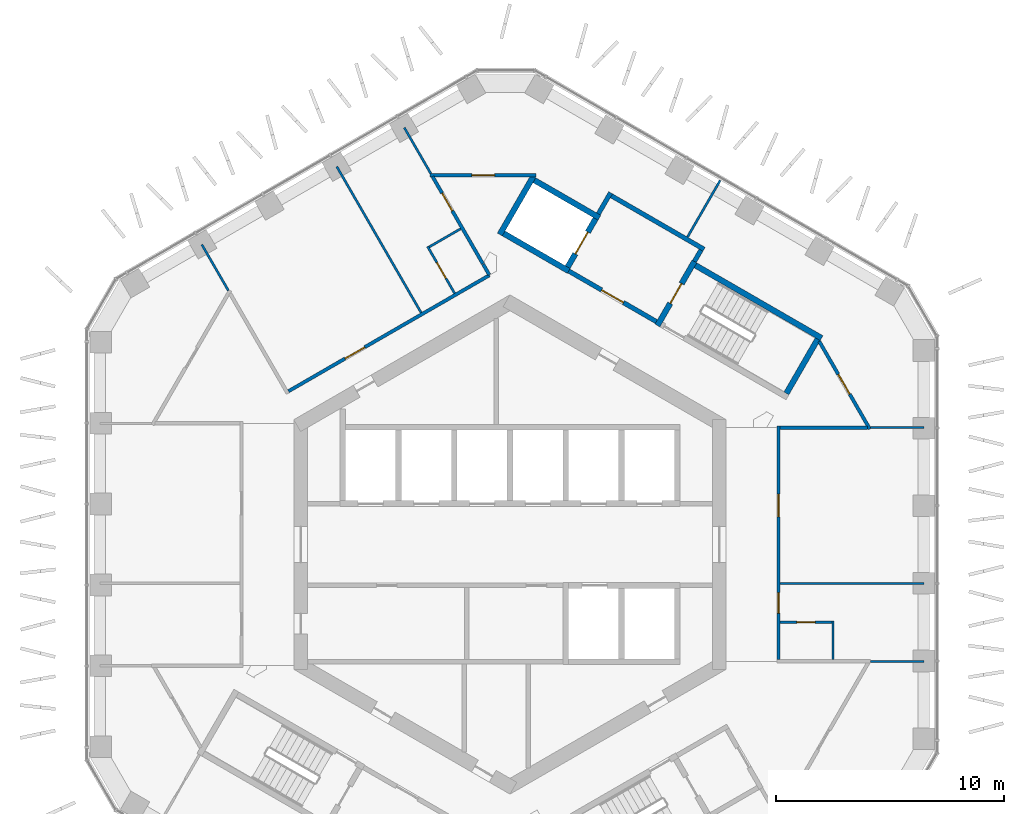
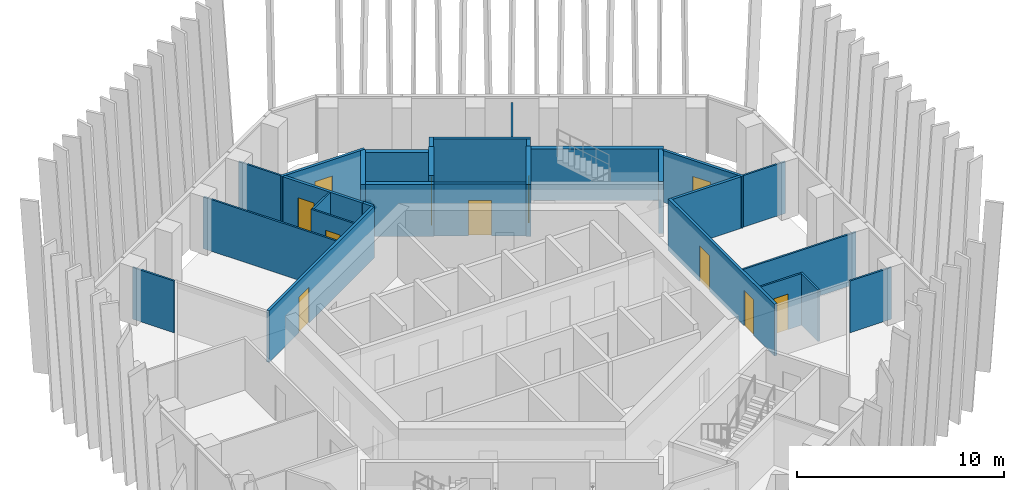
# One storey, part 15 of 20: 29 walls, 11 doors, 11 openings.
"""IFC4 building model written with IfcOpenShell, lengths in metres."""

from ifc_helpers import new_model, si_unit, direction, frame, frame_2d, origin, place, context, subcontext, project, spatial, rectangle, extrude, material, layer, layer_set, type_object, element, fill, save


model = new_model("IFC4")

# Units and contexts
model_context = context("Model", 3, precision=1e-05, world=origin(), true_north=direction((0.0, 1.0)))
body_context = subcontext(model_context, "Body", "Model", "MODEL_VIEW")
ifc_project = project(units=[si_unit("LENGTHUNIT", "METRE"), si_unit("AREAUNIT", "SQUARE_METRE"), si_unit("VOLUMEUNIT", "CUBIC_METRE"), si_unit("PLANEANGLEUNIT", "RADIAN"), si_unit("MASSUNIT", "GRAM", prefix="KILO")], contexts=[model_context])

# Site, building, storey
site_placement = place(None, origin())
site = spatial("IfcSite", under=ifc_project, at=site_placement, CompositionType="ELEMENT")
building_placement = place(site_placement, origin())
building = spatial("IfcBuilding", under=site, at=building_placement, Name="Ayvan Gate Tower", CompositionType="ELEMENT")
storey_placement = place(building_placement, frame((0.0, 0.0, 162.89990234375)))
storey = spatial("IfcBuildingStorey", under=building, at=storey_placement, Name="L43", CompositionType="ELEMENT", Elevation=162.89990234375)

# Wall, opening, door
ifc_material_1 = material(Name="Plasterboard on steel stud", Category="steel")
ifc_layer_1 = layer(ifc_material_1, 0.14990234375)
ifc_layer_set_1 = layer_set([ifc_layer_1], Name="Plasterboard on steel stud")
wall_type_1 = type_object("IfcWallType", Name="WT-CORR-150", PredefinedType="PARTITIONING", material=ifc_layer_set_1)
wall_1_placement = place(storey_placement, frame((-9.734130859375, 6.7353515625, 0.0), z_axis=(0.0, 0.0, 1.0), x_axis=(0.866026544813, 0.499998023675, 0.0)))
wall_1 = element("IfcWall", 1, at=wall_1_placement, inside=storey, type_object=wall_type_1, Name="IW-L43-013", PredefinedType="PARTITIONING", context=body_context, shape_type="SweptSolid", body=[
    extrude(rectangle(XDim=10.19970703125, YDim=0.14990234375, at=frame_2d((5.099853515625, 0.0))), origin(), (0.0, 0.0, 1.0), 3.050048828125),
])
opening_1_placement = place(wall_1_placement, frame((2.872314453125, 0.0, 0.0)))
opening_1 = element("IfcOpeningElement", 2, at=opening_1_placement, cuts=wall_1, Name="Opening L43-D35", PredefinedType="OPENING", context=body_context, shape_type="SweptSolid", body=[
    extrude(rectangle(XDim=1.0, YDim=2.10009765625, at=frame_2d((0.5, 1.050048828125))), frame((0.0, 0.0849609375, 0.0), z_axis=(0.0, -1.0, 0.0), x_axis=(1.0, 0.0, 0.0)), (0.0, 0.0, 1.0), 0.169921875),
])
ifc_material_2 = material(Name="Timber door leaf", Category="wood")
door_type_1 = type_object("IfcDoorType", Name="DT-1000", OperationType="NOTDEFINED", PredefinedType="DOOR", material=ifc_material_2)
door_1_placement = place(opening_1_placement, origin())
door_1 = element("IfcDoor", 3, at=door_1_placement, inside=storey, type_object=door_type_1, Name="ID-L43-035", OperationType="SINGLE_SWING_RIGHT", OverallHeight=2.10009765625, OverallWidth=1.0, PredefinedType="DOOR", context=body_context, shape_type="SweptSolid", body=[
    extrude(rectangle(XDim=1.0, YDim=2.10009765625, at=frame_2d((0.5, 1.050048828125))), frame((0.0, 0.02490234375, 0.0), z_axis=(0.0, -1.0, 0.0), x_axis=(1.0, 0.0, 0.0)), (0.0, 0.0, 1.0), 0.050048828125),
])
fill(opening_1, door_1)

wall_2_placement = place(storey_placement, frame((-3.514892578125, 16.233154296875, 0.0), z_axis=(0.0, 0.0, 1.0), x_axis=(1.0, 0.0, 0.0)))
wall_2 = element("IfcWall", 4, at=wall_2_placement, inside=storey, type_object=wall_type_1, Name="IW-L43-030", PredefinedType="PARTITIONING", context=body_context, shape_type="SweptSolid", body=[
    extrude(rectangle(XDim=4.648193359375, YDim=0.14990234375, at=frame_2d((2.32421875, 0.0))), origin(), (0.0, 0.0, 1.0), 3.050048828125),
])
opening_2_placement = place(wall_2_placement, frame((1.841552734375, 0.0, 0.0)))
opening_2 = element("IfcOpeningElement", 5, at=opening_2_placement, cuts=wall_2, Name="Opening L43-D25", PredefinedType="OPENING", context=body_context, shape_type="SweptSolid", body=[
    extrude(rectangle(XDim=1.0, YDim=2.10009765625, at=frame_2d((0.5, 1.050048828125))), frame((0.0, 0.0849609375, 0.0), z_axis=(0.0, -1.0, 0.0), x_axis=(1.0, 0.0, 0.0)), (0.0, 0.0, 1.0), 0.169921875),
])
door_2_placement = place(opening_2_placement, origin())
door_2 = element("IfcDoor", 6, at=door_2_placement, inside=storey, type_object=door_type_1, Name="ID-L43-025", OperationType="SINGLE_SWING_RIGHT", OverallHeight=2.10009765625, OverallWidth=1.0, PredefinedType="DOOR", context=body_context, shape_type="SweptSolid", body=[
    extrude(rectangle(XDim=1.0, YDim=2.10009765625, at=frame_2d((0.5, 1.050048828125))), frame((0.0, 0.02490234375, 0.0), z_axis=(0.0, -1.0, 0.0), x_axis=(1.0, 0.0, 0.0)), (0.0, 0.0, 1.0), 0.050048828125),
])
fill(opening_2, door_2)

wall_3_placement = place(storey_placement, frame((-3.402587890625, 16.168212890625, 0.0), z_axis=(0.0, 0.0, 1.0), x_axis=(0.499991593815, -0.866030257043, 0.0)))
wall_3 = element("IfcWall", 7, at=wall_3_placement, inside=storey, type_object=wall_type_1, Name="IW-L43-035", PredefinedType="PARTITIONING", context=body_context, shape_type="SweptSolid", body=[
    extrude(rectangle(XDim=4.42333984375, YDim=0.14990234375, at=frame_2d((2.211669921875, 0.0))), origin(), (0.0, 0.0, 1.0), 3.050048828125),
])
opening_3_placement = place(wall_3_placement, frame((0.836669921875, 0.0, 0.0)))
opening_3 = element("IfcOpeningElement", 8, at=opening_3_placement, cuts=wall_3, Name="Opening L43-D33", PredefinedType="OPENING", context=body_context, shape_type="SweptSolid", body=[
    extrude(rectangle(XDim=0.89990234375, YDim=2.10009765625, at=frame_2d((0.449951171875, 1.050048828125))), frame((0.0, 0.0849609375, 0.0), z_axis=(0.0, -1.0, 0.0), x_axis=(1.0, 0.0, 0.0)), (0.0, 0.0, 1.0), 0.169921875),
])
door_type_2 = type_object("IfcDoorType", Name="DT-900", OperationType="NOTDEFINED", PredefinedType="DOOR", material=ifc_material_2)
door_3_placement = place(opening_3_placement, origin())
door_3 = element("IfcDoor", 9, at=door_3_placement, inside=storey, type_object=door_type_2, Name="ID-L43-033", OperationType="SINGLE_SWING_RIGHT", OverallHeight=2.10009765625, OverallWidth=0.89990234375, PredefinedType="DOOR", context=body_context, shape_type="SweptSolid", body=[
    extrude(rectangle(XDim=0.89990234375, YDim=2.10009765625, at=frame_2d((0.449951171875, 1.050048828125))), frame((0.0, 0.02490234375, 0.0), z_axis=(0.0, -1.0, 0.0), x_axis=(1.0, 0.0, 0.0)), (0.0, 0.0, 1.0), 0.050048828125),
])
fill(opening_3, door_3)

# Wall
wall_4_placement = place(storey_placement, frame((-1.180908203125, 12.320068359375, 0.0), z_axis=(0.0, 0.0, 1.0), x_axis=(0.500126914667, -0.865952117167, 0.0)))
element("IfcWall", 10, at=wall_4_placement, inside=storey, type_object=wall_type_1, Name="IW-L43-039", PredefinedType="PARTITIONING", context=body_context, shape_type="SweptSolid", body=[
    extrude(rectangle(XDim=0.539794921875, YDim=0.14990234375, at=frame_2d((0.27001953125, 0.0))), origin(), (0.0, 0.0, 1.0), 3.050048828125),
])

# Wall, openings, doors
wall_5_placement = place(storey_placement, frame((11.800048828125, -5.0625, 0.0), z_axis=(0.0, 0.0, 1.0), x_axis=(0.0, 1.0, 0.0)))
wall_5 = element("IfcWall", 11, at=wall_5_placement, inside=storey, type_object=wall_type_1, Name="IW-L43-079", PredefinedType="PARTITIONING", context=body_context, shape_type="SweptSolid", body=[
    extrude(rectangle(XDim=10.27490234375, YDim=0.14990234375, at=frame_2d((5.137451171875, 0.0))), origin(), (0.0, 0.0, 1.0), 3.050048828125),
])
opening_4_placement = place(wall_5_placement, frame((2.0498046875, 0.0, 0.0)))
opening_4 = element("IfcOpeningElement", 12, at=opening_4_placement, cuts=wall_5, Name="Opening L43-D21", PredefinedType="OPENING", context=body_context, shape_type="SweptSolid", body=[
    extrude(rectangle(XDim=0.89990234375, YDim=2.10009765625, at=frame_2d((0.449951171875, 1.050048828125))), frame((0.0, 0.0849609375, 0.0), z_axis=(0.0, -1.0, 0.0), x_axis=(1.0, 0.0, 0.0)), (0.0, 0.0, 1.0), 0.169921875),
])
opening_5_placement = place(wall_5_placement, frame((6.27490234375, 0.0, 0.0)))
opening_5 = element("IfcOpeningElement", 13, at=opening_5_placement, cuts=wall_5, Name="Opening L43-D23", PredefinedType="OPENING", context=body_context, shape_type="SweptSolid", body=[
    extrude(rectangle(XDim=1.0, YDim=2.10009765625, at=frame_2d((0.5, 1.050048828125))), frame((0.0, 0.0849609375, 0.0), z_axis=(0.0, -1.0, 0.0), x_axis=(1.0, 0.0, 0.0)), (0.0, 0.0, 1.0), 0.169921875),
])
door_4_placement = place(opening_5_placement, origin())
door_4 = element("IfcDoor", 14, at=door_4_placement, inside=storey, type_object=door_type_1, Name="ID-L43-023", OperationType="SINGLE_SWING_RIGHT", OverallHeight=2.10009765625, OverallWidth=1.0, PredefinedType="DOOR", context=body_context, shape_type="SweptSolid", body=[
    extrude(rectangle(XDim=1.0, YDim=2.10009765625, at=frame_2d((0.5, 1.050048828125))), frame((0.0, 0.02490234375, 0.0), z_axis=(0.0, -1.0, 0.0), x_axis=(1.0, 0.0, 0.0)), (0.0, 0.0, 1.0), 0.050048828125),
])
fill(opening_5, door_4)
door_5_placement = place(opening_4_placement, origin())
door_5 = element("IfcDoor", 15, at=door_5_placement, inside=storey, type_object=door_type_2, Name="ID-L43-021", OperationType="SINGLE_SWING_RIGHT", OverallHeight=2.10009765625, OverallWidth=0.89990234375, PredefinedType="DOOR", context=body_context, shape_type="SweptSolid", body=[
    extrude(rectangle(XDim=0.89990234375, YDim=2.10009765625, at=frame_2d((0.449951171875, 1.050048828125))), frame((0.0, 0.02490234375, 0.0), z_axis=(0.0, -1.0, 0.0), x_axis=(1.0, 0.0, 0.0)), (0.0, 0.0, 1.0), 0.050048828125),
])
fill(opening_4, door_5)

# Wall, opening, door
wall_6_placement = place(storey_placement, frame((13.591552734375, 8.9248046875, 0.0), z_axis=(0.0, 0.0, 1.0), x_axis=(0.500040754433, -0.866001872923, 0.0)))
wall_6 = element("IfcWall", 16, at=wall_6_placement, inside=storey, type_object=wall_type_1, Name="IW-L43-082", PredefinedType="PARTITIONING", context=body_context, shape_type="SweptSolid", body=[
    extrude(rectangle(XDim=4.448486328125, YDim=0.14990234375, at=frame_2d((2.22412109375, 0.0))), origin(), (0.0, 0.0, 1.0), 3.050048828125),
])
opening_6_placement = place(wall_6_placement, frame((1.66943359375, 0.0, 0.0)))
opening_6 = element("IfcOpeningElement", 17, at=opening_6_placement, cuts=wall_6, Name="Opening L43-D24", PredefinedType="OPENING", context=body_context, shape_type="SweptSolid", body=[
    extrude(rectangle(XDim=1.0, YDim=2.10009765625, at=frame_2d((0.5, 1.050048828125))), frame((0.0, 0.0849609375, 0.0), z_axis=(0.0, -1.0, 0.0), x_axis=(1.0, 0.0, 0.0)), (0.0, 0.0, 1.0), 0.169921875),
])
door_6_placement = place(opening_6_placement, origin())
door_6 = element("IfcDoor", 18, at=door_6_placement, inside=storey, type_object=door_type_1, Name="ID-L43-024", OperationType="SINGLE_SWING_LEFT", OverallHeight=2.10009765625, OverallWidth=1.0, PredefinedType="DOOR", context=body_context, shape_type="SweptSolid", body=[
    extrude(rectangle(XDim=1.0, YDim=2.10009765625, at=frame_2d((0.5, 1.050048828125))), frame((0.0, 0.02490234375, 0.0), z_axis=(0.0, -1.0, 0.0), x_axis=(1.0, 0.0, 0.0)), (0.0, 0.0, 1.0), 0.050048828125),
])
fill(opening_6, door_6)

# Walls
wall_7_placement = place(storey_placement, frame((15.703369140625, 5.137451171875, 0.0), z_axis=(0.0, 0.0, 1.0), x_axis=(-1.0, 0.0, 0.0)))
element("IfcWall", 19, at=wall_7_placement, inside=storey, type_object=wall_type_1, Name="IW-L43-088", PredefinedType="PARTITIONING", context=body_context, shape_type="SweptSolid", body=[
    extrude(rectangle(XDim=3.828369140625, YDim=0.14990234375, at=frame_2d((1.9140625, 0.0))), origin(), (0.0, 0.0, 1.0), 3.050048828125),
])
ifc_layer_2 = layer(ifc_material_1, 0.10009765625)
ifc_layer_set_2 = layer_set([ifc_layer_2], Name="Plasterboard on steel stud")
wall_type_2 = type_object("IfcWallType", Name="WT-PART-100", PredefinedType="PARTITIONING", material=ifc_layer_set_2)
wall_8_placement = place(storey_placement, frame((-13.54248046875, 13.181396484375, 0.0), z_axis=(0.0, 0.0, 1.0), x_axis=(0.500021330162, -0.86601308846, 0.0)))
element("IfcWall", 20, at=wall_8_placement, inside=storey, type_object=wall_type_2, Name="IW-L43-006", PredefinedType="PARTITIONING", context=body_context, shape_type="SweptSolid", body=[
    extrude(rectangle(XDim=2.33349609375, YDim=0.10009765625, at=frame_2d((1.166748046875, 0.0))), origin(), (0.0, 0.0, 1.0), 3.050048828125),
])
wall_9_placement = place(storey_placement, frame((-3.904541015625, 10.187744140625, 0.0), z_axis=(0.0, 0.0, 1.0), x_axis=(-0.499986693774, 0.866033086001, 0.0)))
element("IfcWall", 21, at=wall_9_placement, inside=storey, type_object=wall_type_2, Name="IW-L43-026", PredefinedType="PARTITIONING", context=body_context, shape_type="SweptSolid", body=[
    extrude(rectangle(XDim=7.411376953125, YDim=0.10009765625, at=frame_2d((3.70556640625, 0.0))), origin(), (0.0, 0.0, 1.0), 3.050048828125),
])

# Wall, opening, door
wall_10_placement = place(storey_placement, frame((-3.61962890625, 13.094482421875, 0.0), z_axis=(0.0, 0.0, 1.0), x_axis=(0.499986429846, -0.866033238375, 0.0)))
wall_10 = element("IfcWall", 22, at=wall_10_placement, inside=storey, type_object=wall_type_2, Name="IW-L43-028", PredefinedType="PARTITIONING", context=body_context, shape_type="SweptSolid", body=[
    extrude(rectangle(XDim=2.375, YDim=0.10009765625, at=frame_2d((1.1875, 0.0))), origin(), (0.0, 0.0, 1.0), 3.050048828125),
])
opening_7_placement = place(wall_10_placement, frame((0.8125, 0.0, 0.0)))
opening_7 = element("IfcOpeningElement", 23, at=opening_7_placement, cuts=wall_10, Name="Opening L43-D34", PredefinedType="OPENING", context=body_context, shape_type="SweptSolid", body=[
    extrude(rectangle(XDim=0.800048828125, YDim=2.10009765625, at=frame_2d((0.39990234375, 1.050048828125))), frame((0.0, 0.06005859375, 0.0), z_axis=(0.0, -1.0, 0.0), x_axis=(1.0, 0.0, 0.0)), (0.0, 0.0, 1.0), 0.1201171875),
])
door_type_3 = type_object("IfcDoorType", Name="DT-800", OperationType="NOTDEFINED", PredefinedType="DOOR", material=ifc_material_2)
door_7_placement = place(opening_7_placement, origin())
door_7 = element("IfcDoor", 24, at=door_7_placement, inside=storey, type_object=door_type_3, Name="ID-L43-034", OperationType="SINGLE_SWING_LEFT", OverallHeight=2.10009765625, OverallWidth=0.800048828125, PredefinedType="DOOR", context=body_context, shape_type="SweptSolid", body=[
    extrude(rectangle(XDim=0.800048828125, YDim=2.10009765625, at=frame_2d((0.39990234375, 1.050048828125))), frame((0.0, 0.02490234375, 0.0), z_axis=(0.0, -1.0, 0.0), x_axis=(1.0, 0.0, 0.0)), (0.0, 0.0, 1.0), 0.050048828125),
])
fill(opening_7, door_7)

# Walls
wall_11_placement = place(storey_placement, frame((-3.4775390625, 16.298095703125, 0.0), z_axis=(0.0, 0.0, 1.0), x_axis=(-0.499988162555, 0.866032238029, 0.0)))
element("IfcWall", 25, at=wall_11_placement, inside=storey, type_object=wall_type_2, Name="IW-L43-029", PredefinedType="PARTITIONING", context=body_context, shape_type="SweptSolid", body=[
    extrude(rectangle(XDim=2.3330078125, YDim=0.10009765625, at=frame_2d((1.16650390625, 0.0))), origin(), (0.0, 0.0, 1.0), 3.050048828125),
])
wall_12_placement = place(storey_placement, frame((-2.165771484375, 13.876220703125, 0.0), z_axis=(0.0, 0.0, 1.0), x_axis=(-0.866028054938, -0.499995408039, 0.0)))
element("IfcWall", 26, at=wall_12_placement, inside=storey, type_object=wall_type_2, Name="IW-L43-034", PredefinedType="PARTITIONING", context=body_context, shape_type="SweptSolid", body=[
    extrude(rectangle(XDim=1.60009765625, YDim=0.10009765625, at=frame_2d((0.800048828125, 0.0))), origin(), (0.0, 0.0, 1.0), 3.050048828125),
])
wall_13_placement = place(storey_placement, frame((7.800048828125, 13.510009765625, 0.0), z_axis=(0.0, 0.0, 1.0), x_axis=(0.499996461177, 0.866027446915, 0.0)))
element("IfcWall", 27, at=wall_13_placement, inside=storey, type_object=wall_type_2, Name="IW-L43-071", PredefinedType="PARTITIONING", context=body_context, shape_type="SweptSolid", body=[
    extrude(rectangle(XDim=2.87939453125, YDim=0.10009765625, at=frame_2d((1.439697265625, 0.0))), origin(), (0.0, 0.0, 1.0), 3.050048828125),
])
wall_14_placement = place(storey_placement, frame((11.875, -1.71240234375, 0.0), z_axis=(0.0, 0.0, 1.0), x_axis=(1.0, 0.0, 0.0)))
element("IfcWall", 28, at=wall_14_placement, inside=storey, type_object=wall_type_2, Name="IW-L43-080", PredefinedType="PARTITIONING", context=body_context, shape_type="SweptSolid", body=[
    extrude(rectangle(XDim=6.3115234375, YDim=0.10009765625, at=frame_2d((3.15576171875, 0.0))), origin(), (0.0, 0.0, 1.0), 3.050048828125),
])
wall_15_placement = place(storey_placement, frame((14.199951171875, -5.0625, 0.0), z_axis=(0.0, 0.0, 1.0), x_axis=(0.0, 1.0, 0.0)))
element("IfcWall", 29, at=wall_15_placement, inside=storey, type_object=wall_type_2, Name="IW-L43-084", PredefinedType="PARTITIONING", context=body_context, shape_type="SweptSolid", body=[
    extrude(rectangle(XDim=1.699951171875, YDim=0.10009765625, at=frame_2d((0.85009765625, 0.0))), origin(), (0.0, 0.0, 1.0), 3.050048828125),
])

# Wall, opening, door
wall_16_placement = place(storey_placement, frame((14.14990234375, -3.41259765625, 0.0), z_axis=(0.0, 0.0, 1.0), x_axis=(-1.0, 0.0, 0.0)))
wall_16 = element("IfcWall", 30, at=wall_16_placement, inside=storey, type_object=wall_type_2, Name="IW-L43-085", PredefinedType="PARTITIONING", context=body_context, shape_type="SweptSolid", body=[
    extrude(rectangle(XDim=2.27490234375, YDim=0.10009765625, at=frame_2d((1.137451171875, 0.0))), origin(), (0.0, 0.0, 1.0), 3.050048828125),
])
opening_8_placement = place(wall_16_placement, frame((0.737548828125, 0.0, 0.0)))
opening_8 = element("IfcOpeningElement", 31, at=opening_8_placement, cuts=wall_16, Name="Opening L43-D22", PredefinedType="OPENING", context=body_context, shape_type="SweptSolid", body=[
    extrude(rectangle(XDim=0.800048828125, YDim=2.10009765625, at=frame_2d((0.39990234375, 1.050048828125))), frame((0.0, 0.06005859375, 0.0), z_axis=(0.0, -1.0, 0.0), x_axis=(1.0, 0.0, 0.0)), (0.0, 0.0, 1.0), 0.1201171875),
])
door_8_placement = place(opening_8_placement, origin())
door_8 = element("IfcDoor", 32, at=door_8_placement, inside=storey, type_object=door_type_3, Name="ID-L43-022", OperationType="SINGLE_SWING_LEFT", OverallHeight=2.10009765625, OverallWidth=0.800048828125, PredefinedType="DOOR", context=body_context, shape_type="SweptSolid", body=[
    extrude(rectangle(XDim=0.800048828125, YDim=2.10009765625, at=frame_2d((0.39990234375, 1.050048828125))), frame((0.0, 0.02490234375, 0.0), z_axis=(0.0, -1.0, 0.0), x_axis=(1.0, 0.0, 0.0)), (0.0, 0.0, 1.0), 0.050048828125),
])
fill(opening_8, door_8)

# Walls
for number, where, z_axis, x_axis, name in (
    (33, (15.853271484375, 5.137451171875, 0.0), (0.0, 0.0, 1.0), (1.0, 0.0, 0.0), "IW-L43-086"),
    (34, (18.1865234375, -5.137451171875, 0.0), (0.0, 0.0, 1.0), (-1.0, 0.0, 0.0), "IW-L43-089"),
):
    element("IfcWall", number, at=place(storey_placement, frame(where, z_axis=z_axis, x_axis=x_axis)), inside=storey, type_object=wall_type_2, Name=name, PredefinedType="PARTITIONING", context=body_context, shape_type="SweptSolid", body=[
        extrude(rectangle(XDim=2.333251953125, YDim=0.10009765625, at=frame_2d((1.16650390625, 0.0))), origin(), (0.0, 0.0, 1.0), 3.050048828125),
    ])
ifc_layer_3 = layer(ifc_material_1, 0.199951171875)
ifc_layer_set_3 = layer_set([ifc_layer_3], Name="Plasterboard on steel stud")
wall_type_3 = type_object("IfcWallType", Name="WT-RATED-200", PredefinedType="PARTITIONING", material=ifc_layer_set_3)
wall_17_placement = place(storey_placement, frame((3.885009765625, 14.52880859375, 0.0), z_axis=(0.0, 0.0, 1.0), x_axis=(0.499997628298, 0.866026773083, 0.0)))
element("IfcWall", 35, at=wall_17_placement, inside=storey, type_object=wall_type_3, Name="IW-L43-056", PredefinedType="PARTITIONING", context=body_context, shape_type="SweptSolid", body=[
    extrude(rectangle(XDim=1.0751953125, YDim=0.199951171875, at=frame_2d((0.53759765625, 0.0))), origin(), (0.0, 0.0, 1.0), 3.050048828125),
])
wall_18_placement = place(storey_placement, frame((4.458984375, 15.323486328125, 0.0), z_axis=(0.0, 0.0, 1.0), x_axis=(0.866016039709, -0.500016218704, 0.0)))
element("IfcWall", 36, at=wall_18_placement, inside=storey, type_object=wall_type_3, Name="IW-L43-057", PredefinedType="PARTITIONING", context=body_context, shape_type="SweptSolid", body=[
    extrude(rectangle(XDim=4.699951171875, YDim=0.199951171875, at=frame_2d((2.35009765625, 0.0))), origin(), (0.0, 0.0, 1.0), 3.050048828125),
])

# Wall, opening, door
wall_19_placement = place(storey_placement, frame((6.4345703125, 9.794921875, 0.0), z_axis=(0.0, 0.0, 1.0), x_axis=(-0.866012907634, 0.500021643343, 0.0)))
wall_19 = element("IfcWall", 37, at=wall_19_placement, inside=storey, type_object=wall_type_3, Name="IW-L43-062", PredefinedType="PARTITIONING", context=body_context, shape_type="SweptSolid", body=[
    extrude(rectangle(XDim=4.449951171875, YDim=0.199951171875, at=frame_2d((2.22509765625, 0.0))), origin(), (0.0, 0.0, 1.0), 3.050048828125),
])
opening_9_placement = place(wall_19_placement, frame((1.675048828125, 0.0, 0.0)))
opening_9 = element("IfcOpeningElement", 38, at=opening_9_placement, cuts=wall_19, Name="Opening L43-D12", PredefinedType="OPENING", context=body_context, shape_type="SweptSolid", body=[
    extrude(rectangle(XDim=1.10009765625, YDim=2.10009765625, at=frame_2d((0.550048828125, 1.050048828125))), frame((0.0, 0.10986328125, 0.0), z_axis=(0.0, -1.0, 0.0), x_axis=(1.0, 0.0, 0.0)), (0.0, 0.0, 1.0), 0.219970703125),
])
door_type_4 = type_object("IfcDoorType", Name="DT-1100", OperationType="NOTDEFINED", PredefinedType="DOOR", material=ifc_material_2)
door_9_placement = place(opening_9_placement, origin())
door_9 = element("IfcDoor", 39, at=door_9_placement, inside=storey, type_object=door_type_4, Name="ID-L43-012", OperationType="SINGLE_SWING_LEFT", OverallHeight=2.10009765625, OverallWidth=1.10009765625, PredefinedType="DOOR", context=body_context, shape_type="SweptSolid", body=[
    extrude(rectangle(XDim=1.10009765625, YDim=2.10009765625, at=frame_2d((0.550048828125, 1.050048828125))), frame((0.0, 0.02490234375, 0.0), z_axis=(0.0, -1.0, 0.0), x_axis=(1.0, 0.0, 0.0)), (0.0, 0.0, 1.0), 0.050048828125),
])
fill(opening_9, door_9)

# Walls
wall_20_placement = place(storey_placement, frame((8.392822265625, 12.936767578125, 0.0), z_axis=(0.0, 0.0, 1.0), x_axis=(-0.500065409566, -0.86598763626, 0.0)))
element("IfcWall", 40, at=wall_20_placement, inside=storey, type_object=wall_type_3, Name="IW-L43-073", PredefinedType="PARTITIONING", context=body_context, shape_type="SweptSolid", body=[
    extrude(rectangle(XDim=0.5751953125, YDim=0.199951171875, at=frame_2d((0.28759765625, 0.0))), origin(), (0.0, 0.0, 1.0), 3.050048828125),
])
ifc_material_3 = material(Name="Concrete C50/60", Category="concrete")
ifc_layer_4 = layer(ifc_material_3, 0.25)
ifc_layer_set_4 = layer_set([ifc_layer_4], Name="Concrete C50/60")
wall_type_4 = type_object("IfcWallType", Name="WT-RC-250", PredefinedType="SHEAR", material=ifc_layer_set_4)
wall_21_placement = place(storey_placement, frame((-0.447998046875, 13.624267578125, 0.0), z_axis=(0.0, 0.0, 1.0), x_axis=(0.500037662692, 0.866003658127, 0.0)))
element("IfcWall", 41, at=wall_21_placement, inside=storey, type_object=wall_type_4, Name="IW-L43-043", PredefinedType="SHEAR", context=body_context, shape_type="SweptSolid", body=[
    extrude(rectangle(XDim=2.949951171875, YDim=0.25, at=frame_2d((1.47509765625, 0.0))), origin(), (0.0, 0.0, 1.0), 3.050048828125),
])
for number, where, z_axis, x_axis, name in (
    (42, (1.072998046875, 16.00830078125, 0.0), (0.0, 0.0, 1.0), (0.866040211805, -0.499974350878, 0.0), "IW-L43-046"),
    (43, (2.580810546875, 12.02001953125, 0.0), (0.0, 0.0, 1.0), (-0.866040211805, 0.499974350878, 0.0), "IW-L43-051"),
):
    element("IfcWall", number, at=place(storey_placement, frame(where, z_axis=z_axis, x_axis=x_axis)), inside=storey, type_object=wall_type_4, Name=name, PredefinedType="SHEAR", context=body_context, shape_type="SweptSolid", body=[
        extrude(rectangle(XDim=3.300048828125, YDim=0.25, at=frame_2d((1.64990234375, 0.0))), origin(), (0.0, 0.0, 1.0), 3.050048828125),
    ])

# Wall, opening, door
wall_22_placement = place(storey_placement, frame((2.534912109375, 12.19091796875, 0.0), z_axis=(0.0, 0.0, 1.0), x_axis=(0.500061746146, 0.865989751695, 0.0)))
wall_22 = element("IfcWall", 44, at=wall_22_placement, inside=storey, type_object=wall_type_4, Name="IW-L43-052", PredefinedType="SHEAR", context=body_context, shape_type="SweptSolid", body=[
    extrude(rectangle(XDim=2.449951171875, YDim=0.25, at=frame_2d((1.22509765625, 0.0))), origin(), (0.0, 0.0, 1.0), 3.400146484375),
])
opening_10_placement = place(wall_22_placement, frame((0.675048828125, 0.0, 0.0)))
opening_10 = element("IfcOpeningElement", 45, at=opening_10_placement, cuts=wall_22, Name="Opening L43-LD-FF1", PredefinedType="OPENING", context=body_context, shape_type="SweptSolid", body=[
    extrude(rectangle(XDim=1.10009765625, YDim=2.10009765625, at=frame_2d((0.550048828125, 1.050048828125))), frame((0.0, 0.135009765625, 0.0), z_axis=(0.0, -1.0, 0.0), x_axis=(1.0, 0.0, 0.0)), (0.0, 0.0, 1.0), 0.27001953125),
])
ifc_material_4 = material(Name="Stainless steel landing door", Category="steel")
door_type_5 = type_object("IfcDoorType", Name="DT-LANDING-1100", OperationType="SLIDING_TO_LEFT", PredefinedType="DOOR", material=ifc_material_4)
door_10_placement = place(opening_10_placement, origin())
door_10 = element("IfcDoor", 46, at=door_10_placement, inside=storey, type_object=door_type_5, Name="ID-L43-013", OperationType="SLIDING_TO_LEFT", OverallHeight=2.10009765625, OverallWidth=1.10009765625, PredefinedType="DOOR", context=body_context, shape_type="SweptSolid", body=[
    extrude(rectangle(XDim=1.10009765625, YDim=2.10009765625, at=frame_2d((0.550048828125, 1.050048828125))), frame((0.0, 0.02490234375, 0.0), z_axis=(0.0, -1.0, 0.0), x_axis=(1.0, 0.0, 0.0)), (0.0, 0.0, 1.0), 0.050048828125),
])
fill(opening_10, door_10)

wall_23_placement = place(storey_placement, frame((6.480224609375, 9.624267578125, 0.0), z_axis=(0.0, 0.0, 1.0), x_axis=(0.500017246033, 0.866015446554, 0.0)))
wall_23 = element("IfcWall", 47, at=wall_23_placement, inside=storey, type_object=wall_type_4, Name="IW-L43-063", PredefinedType="SHEAR", context=body_context, shape_type="SweptSolid", body=[
    extrude(rectangle(XDim=3.25, YDim=0.25, at=frame_2d((1.625, 0.0))), origin(), (0.0, 0.0, 1.0), 3.050048828125),
])
opening_11_placement = place(wall_23_placement, frame((1.125, 0.0, 0.0)))
opening_11 = element("IfcOpeningElement", 48, at=opening_11_placement, cuts=wall_23, Name="Opening L43-D11", PredefinedType="OPENING", context=body_context, shape_type="SweptSolid", body=[
    extrude(rectangle(XDim=1.0, YDim=2.10009765625, at=frame_2d((0.5, 1.050048828125))), frame((0.0, 0.135009765625, 0.0), z_axis=(0.0, -1.0, 0.0), x_axis=(1.0, 0.0, 0.0)), (0.0, 0.0, 1.0), 0.27001953125),
])
door_11_placement = place(opening_11_placement, origin())
door_11 = element("IfcDoor", 49, at=door_11_placement, inside=storey, type_object=door_type_1, Name="ID-L43-011", OperationType="SINGLE_SWING_RIGHT", OverallHeight=2.10009765625, OverallWidth=1.0, PredefinedType="DOOR", context=body_context, shape_type="SweptSolid", body=[
    extrude(rectangle(XDim=1.0, YDim=2.10009765625, at=frame_2d((0.5, 1.050048828125))), frame((0.0, 0.02490234375, 0.0), z_axis=(0.0, -1.0, 0.0), x_axis=(1.0, 0.0, 0.0)), (0.0, 0.0, 1.0), 0.050048828125),
])
fill(opening_11, door_11)

# Walls
wall_24_placement = place(storey_placement, frame((8.151123046875, 12.26806640625, 0.0), z_axis=(0.0, 0.0, 1.0), x_axis=(0.866025499775, -0.499999833739, 0.0)))
element("IfcWall", 50, at=wall_24_placement, inside=storey, type_object=wall_type_4, Name="IW-L43-072", PredefinedType="SHEAR", context=body_context, shape_type="SweptSolid", body=[
    extrude(rectangle(XDim=6.39990234375, YDim=0.25, at=frame_2d((3.199951171875, 0.0))), origin(), (0.0, 0.0, 1.0), 3.050048828125),
])
wall_25_placement = place(storey_placement, frame((12.14794921875, 6.640869140625, 0.0), z_axis=(0.0, 0.0, 1.0), x_axis=(0.500034990121, 0.866005201286, 0.0)))
element("IfcWall", 51, at=wall_25_placement, inside=storey, type_object=wall_type_4, Name="IW-L43-083", PredefinedType="SHEAR", context=body_context, shape_type="SweptSolid", body=[
    extrude(rectangle(XDim=2.749755859375, YDim=0.25, at=frame_2d((1.375, 0.0))), origin(), (0.0, 0.0, 1.0), 3.050048828125),
])

save(model, "model.ifc")
